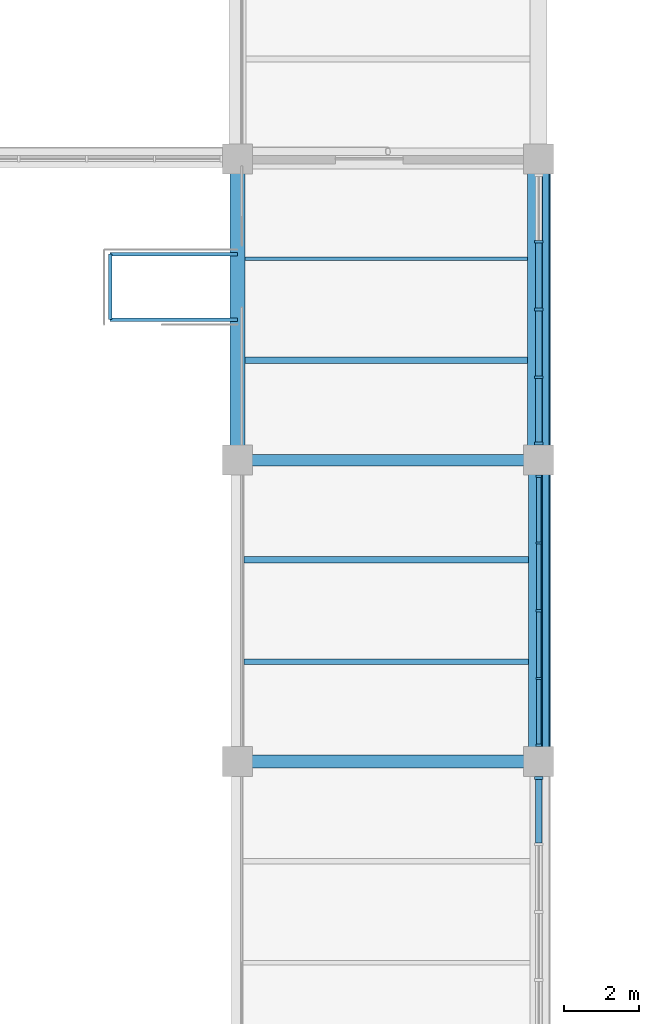
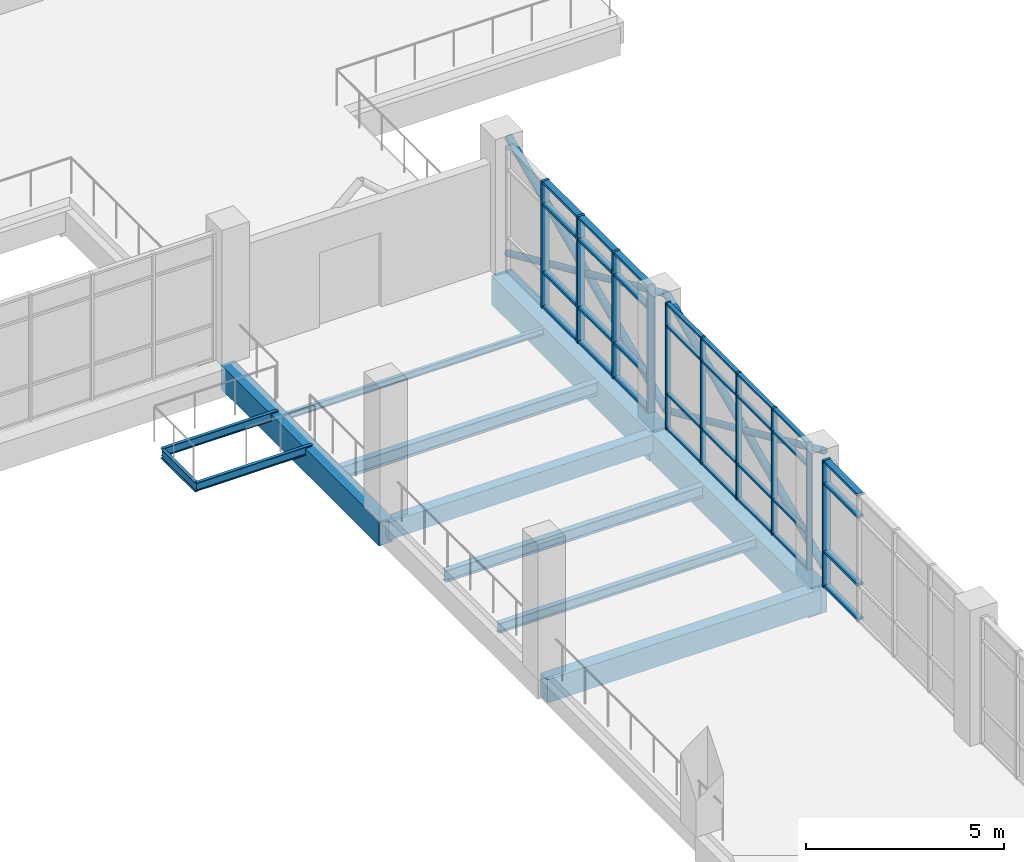
# One storey, part 45 of 84: 46 members, 12 beams, 3 elements without a shape of their own.
"""IFC4 building model written with IfcOpenShell, lengths in metres."""

from ifc_helpers import new_model, si_unit, direction, frame, origin, origin_2d, place, context, subcontext, project, spatial, rectangle, hollow_circle, i_section, extrude, material, material_profile, profile_set, type_object, element, aggregate, save


model = new_model("IFC4")

# Units and contexts
model_context = context("Model", 3, precision=1e-05, world=origin(), true_north=direction((0.0, 1.0)))
body_context = subcontext(model_context, "Body", "Model", "MODEL_VIEW")
ifc_project = project(units=[si_unit("LENGTHUNIT", "METRE"), si_unit("AREAUNIT", "SQUARE_METRE"), si_unit("VOLUMEUNIT", "CUBIC_METRE"), si_unit("PLANEANGLEUNIT", "RADIAN"), si_unit("MASSUNIT", "GRAM", prefix="KILO")], contexts=[model_context])

# Site, building, storey
site_placement = place(None, origin())
site = spatial("IfcSite", under=ifc_project, at=site_placement, CompositionType="ELEMENT")
building_placement = place(site_placement, origin())
building = spatial("IfcBuilding", under=site, at=building_placement, Name="Tenunan Teduh Sports Hall", CompositionType="ELEMENT")
storey_placement = place(building_placement, frame((0.0, 0.0, 10.800048828125)))
storey = spatial("IfcBuildingStorey", under=building, at=storey_placement, Name="L02", CompositionType="ELEMENT", Elevation=10.800048828125)

# Beams
ifc_material_1 = material(Name="Concrete C40/50", Category="concrete")
ifc_material_profile_1 = material_profile(ifc_material_1, rectangle(XDim=0.300048828125, YDim=0.550048828125, at=origin_2d()), Name="RCB 300x550")
ifc_profile_set_1 = profile_set([ifc_material_profile_1], Name="Concrete C40/50")
beam_type_1 = type_object("IfcBeamType", Name="BM-RC-300x550", PredefinedType="BEAM", material=ifc_profile_set_1)
beam_1_placement = place(storey_placement, frame((146.0, 70.0, -0.53515625), z_axis=(1.0, 0.0, 0.0), x_axis=(0.0, 1.0, 0.0)))
element("IfcBeam", 1, at=beam_1_placement, inside=storey, type_object=beam_type_1, Name="BM-B-02-L02-1481", PredefinedType="BEAM", context=body_context, shape_type="SweptSolid", body=[
    extrude(rectangle(XDim=0.300048828125, YDim=0.550048828125, at=origin_2d()), origin(), (0.0, 0.0, 1.0), 8.0),
])
ifc_material_2 = material(Name="Concrete C40/50", Category="concrete")
ifc_material_profile_2 = material_profile(ifc_material_2, rectangle(XDim=0.39990234375, YDim=0.75, at=origin_2d()), Name="RCB 400x750")
ifc_profile_set_2 = profile_set([ifc_material_profile_2], Name="Concrete C40/50")
beam_type_2 = type_object("IfcBeamType", Name="BM-RC-400x750", PredefinedType="BEAM", material=ifc_profile_set_2)
beam_2_placement = place(storey_placement, frame((146.0, 70.0, -0.635009765625), z_axis=(0.0, 1.0, 0.0), x_axis=(-1.0, 0.0, 0.0)))
element("IfcBeam", 2, at=beam_2_placement, inside=storey, type_object=beam_type_2, Name="BM-B-09-L02-1656", PredefinedType="BEAM", context=body_context, shape_type="SweptSolid", body=[
    extrude(rectangle(XDim=0.39990234375, YDim=0.75, at=origin_2d()), origin(), (0.0, 0.0, 1.0), 8.0),
])
ifc_material_3 = material(Name="Concrete C40/50", Category="concrete")
ifc_material_profile_3 = material_profile(ifc_material_3, rectangle(XDim=0.550048828125, YDim=0.89990234375, at=origin_2d()), Name="RCB 550x900")
ifc_profile_set_3 = profile_set([ifc_material_profile_3], Name="Concrete C40/50")
beam_type_3 = type_object("IfcBeamType", Name="BM-RC-550x900", PredefinedType="BEAM", material=ifc_profile_set_3)
beam_3_placement = place(storey_placement, frame((154.0, 62.0, -0.7099609375), z_axis=(0.0, 1.0, 0.0), x_axis=(-1.0, 0.0, 0.0)))
element("IfcBeam", 3, at=beam_3_placement, inside=storey, type_object=beam_type_3, Name="BM-B-16-L02-1663", PredefinedType="BEAM", context=body_context, shape_type="SweptSolid", body=[
    extrude(rectangle(XDim=0.550048828125, YDim=0.89990234375, at=origin_2d()), origin(), (0.0, 0.0, 1.0), 8.0),
])
ifc_material_4 = material(Name="Concrete C40/50", Category="concrete")
ifc_material_profile_4 = material_profile(ifc_material_4, rectangle(XDim=0.60009765625, YDim=0.89990234375, at=origin_2d()), Name="RCB 600x900")
ifc_profile_set_4 = profile_set([ifc_material_profile_4], Name="Concrete C40/50")
beam_type_4 = type_object("IfcBeamType", Name="BM-RC-600x900", PredefinedType="BEAM", material=ifc_profile_set_4)
beam_4_placement = place(storey_placement, frame((154.0, 70.0, -0.7099609375), z_axis=(0.0, 1.0, 0.0), x_axis=(-1.0, 0.0, 0.0)))
element("IfcBeam", 4, at=beam_4_placement, inside=storey, type_object=beam_type_4, Name="BM-B-17-L02-1664", PredefinedType="BEAM", context=body_context, shape_type="SweptSolid", body=[
    extrude(rectangle(XDim=0.60009765625, YDim=0.89990234375, at=origin_2d()), origin(), (0.0, 0.0, 1.0), 8.0),
])
ifc_material_5 = material(Name="Concrete C40/50", Category="concrete")
ifc_material_profile_5 = material_profile(ifc_material_5, rectangle(XDim=0.35009765625, YDim=0.719970703125, at=origin_2d()), Name="TB 350x720")
ifc_profile_set_5 = profile_set([ifc_material_profile_5], Name="Concrete C40/50")
beam_type_5 = type_object("IfcBeamType", Name="BM-TB-350x720", PredefinedType="T_BEAM", material=ifc_profile_set_5)
beam_5_placement = place(storey_placement, frame((146.0, 62.0, -0.6201171875), z_axis=(1.0, 0.0, 0.0), x_axis=(0.0, 1.0, 0.0)))
element("IfcBeam", 5, at=beam_5_placement, inside=storey, type_object=beam_type_5, Name="BM-TB-01-L02-1479", PredefinedType="T_BEAM", context=body_context, shape_type="SweptSolid", body=[
    extrude(rectangle(XDim=0.35009765625, YDim=0.719970703125, at=origin_2d()), origin(), (0.0, 0.0, 1.0), 8.0),
])

# Curtain wall, members
ifc_material_6 = material(Name="Anodised aluminium", Category="aluminium")
curtain_wall_type = type_object("IfcCurtainWallType", Name="CW-UNIT-2", PredefinedType="NOTDEFINED", material=ifc_material_6)
curtain_wall_1_placement = place(storey_placement, origin())
curtain_wall_1 = element("IfcCurtainWall", 6, at=curtain_wall_1_placement, inside=storey, type_object=curtain_wall_type, Name="CW-CWM-150-L02-135", PredefinedType="NOTDEFINED")
ifc_material_7 = material(Name="Anodised aluminium", Category="aluminium")
ifc_material_profile_6 = material_profile(ifc_material_7, rectangle(XDim=0.06005859375, YDim=0.14990234375, at=origin_2d()), Name="CWM 60x150")
ifc_profile_set_6 = profile_set([ifc_material_profile_6], Name="Anodised aluminium")
member_type_1 = type_object("IfcMemberType", Name="CWM-150", PredefinedType="MULLION", material=ifc_profile_set_6)
member_1_placement = place(storey_placement, frame((154.0, 62.429931640625, 0.0), z_axis=(0.0, 0.0, 1.0), x_axis=(0.0, 1.0, 0.0)))
member_1 = element("IfcMember", 7, at=member_1_placement, type_object=member_type_1, Name="CW-02 mullion 1", PredefinedType="MULLION", context=body_context, shape_type="SweptSolid", body=[
    extrude(rectangle(XDim=0.06005859375, YDim=0.14990234375, at=origin_2d()), origin(), (0.0, 0.0, 1.0), 3.919921875),
])
member_2_placement = place(storey_placement, frame((154.0, 64.199951171875, 0.0), z_axis=(0.0, 0.0, 1.0), x_axis=(0.0, 1.0, 0.0)))
member_2 = element("IfcMember", 8, at=member_2_placement, type_object=member_type_1, Name="CW-02 mullion 2", PredefinedType="MULLION", context=body_context, shape_type="SweptSolid", body=[
    extrude(rectangle(XDim=0.06005859375, YDim=0.14990234375, at=origin_2d()), origin(), (0.0, 0.0, 1.0), 3.919921875),
])
member_3_placement = place(storey_placement, frame((154.0, 66.0, 0.0), z_axis=(0.0, 0.0, 1.0), x_axis=(0.0, 1.0, 0.0)))
member_3 = element("IfcMember", 9, at=member_3_placement, type_object=member_type_1, Name="CW-02 mullion 3", PredefinedType="MULLION", context=body_context, shape_type="SweptSolid", body=[
    extrude(rectangle(XDim=0.06005859375, YDim=0.14990234375, at=origin_2d()), origin(), (0.0, 0.0, 1.0), 3.919921875),
])
member_4_placement = place(storey_placement, frame((154.0, 67.800048828125, 0.0), z_axis=(0.0, 0.0, 1.0), x_axis=(0.0, 1.0, 0.0)))
member_4 = element("IfcMember", 10, at=member_4_placement, type_object=member_type_1, Name="CW-02 mullion 4", PredefinedType="MULLION", context=body_context, shape_type="SweptSolid", body=[
    extrude(rectangle(XDim=0.06005859375, YDim=0.14990234375, at=origin_2d()), origin(), (0.0, 0.0, 1.0), 3.919921875),
])
member_5_placement = place(storey_placement, frame((154.0, 69.570068359375, 0.0), z_axis=(0.0, 0.0, 1.0), x_axis=(0.0, 1.0, 0.0)))
member_5 = element("IfcMember", 11, at=member_5_placement, type_object=member_type_1, Name="CW-02 mullion 5", PredefinedType="MULLION", context=body_context, shape_type="SweptSolid", body=[
    extrude(rectangle(XDim=0.06005859375, YDim=0.14990234375, at=origin_2d()), origin(), (0.0, 0.0, 1.0), 3.919921875),
])

# Curtain wall, member
curtain_wall_2_placement = place(storey_placement, origin())
curtain_wall_2 = element("IfcCurtainWall", 12, at=curtain_wall_2_placement, inside=storey, type_object=curtain_wall_type, Name="CW-CWM-220-L02-133", PredefinedType="NOTDEFINED")
ifc_material_8 = material(Name="Anodised aluminium", Category="aluminium")
ifc_material_profile_7 = material_profile(ifc_material_8, rectangle(XDim=0.074951171875, YDim=0.219970703125, at=origin_2d()), Name="CWM 75x220")
ifc_profile_set_7 = profile_set([ifc_material_profile_7], Name="Anodised aluminium")
member_type_2 = type_object("IfcMemberType", Name="CWM-220", PredefinedType="MULLION", material=ifc_profile_set_7)
member_6_placement = place(storey_placement, frame((154.0, 61.5625, 0.0), z_axis=(0.0, 0.0, 1.0), x_axis=(0.0, 1.0, 0.0)))
member_6 = element("IfcMember", 13, at=member_6_placement, type_object=member_type_2, Name="CW-02 mullion 5", PredefinedType="MULLION", context=body_context, shape_type="SweptSolid", body=[
    extrude(rectangle(XDim=0.074951171875, YDim=0.219970703125, at=origin_2d()), origin(), (0.0, 0.0, 1.0), 3.919921875),
])

# Curtain wall, members
curtain_wall_3_placement = place(storey_placement, origin())
curtain_wall_3 = element("IfcCurtainWall", 14, at=curtain_wall_3_placement, inside=storey, type_object=curtain_wall_type, Name="CW-CWM-220-L02-137", PredefinedType="NOTDEFINED")
member_7_placement = place(storey_placement, frame((154.0, 70.4375, 0.0), z_axis=(0.0, 0.0, 1.0), x_axis=(0.0, 1.0, 0.0)))
member_7 = element("IfcMember", 15, at=member_7_placement, type_object=member_type_2, Name="CW-02 mullion 1", PredefinedType="MULLION", context=body_context, shape_type="SweptSolid", body=[
    extrude(rectangle(XDim=0.074951171875, YDim=0.219970703125, at=origin_2d()), origin(), (0.0, 0.0, 1.0), 3.919921875),
])
member_8_placement = place(storey_placement, frame((154.0, 72.199951171875, 0.0), z_axis=(0.0, 0.0, 1.0), x_axis=(0.0, 1.0, 0.0)))
member_8 = element("IfcMember", 16, at=member_8_placement, type_object=member_type_2, Name="CW-02 mullion 2", PredefinedType="MULLION", context=body_context, shape_type="SweptSolid", body=[
    extrude(rectangle(XDim=0.074951171875, YDim=0.219970703125, at=origin_2d()), origin(), (0.0, 0.0, 1.0), 3.919921875),
])
member_9_placement = place(storey_placement, frame((154.0, 74.0, 0.0), z_axis=(0.0, 0.0, 1.0), x_axis=(0.0, 1.0, 0.0)))
member_9 = element("IfcMember", 17, at=member_9_placement, type_object=member_type_2, Name="CW-02 mullion 3", PredefinedType="MULLION", context=body_context, shape_type="SweptSolid", body=[
    extrude(rectangle(XDim=0.074951171875, YDim=0.219970703125, at=origin_2d()), origin(), (0.0, 0.0, 1.0), 3.919921875),
])
member_10_placement = place(storey_placement, frame((154.0, 75.800048828125, 0.0), z_axis=(0.0, 0.0, 1.0), x_axis=(0.0, 1.0, 0.0)))
member_10 = element("IfcMember", 18, at=member_10_placement, type_object=member_type_2, Name="CW-02 mullion 4", PredefinedType="MULLION", context=body_context, shape_type="SweptSolid", body=[
    extrude(rectangle(XDim=0.074951171875, YDim=0.219970703125, at=origin_2d()), origin(), (0.0, 0.0, 1.0), 3.919921875),
])

# Member
ifc_material_9 = material(Name="Anodised aluminium", Category="aluminium")
ifc_material_profile_8 = material_profile(ifc_material_9, rectangle(XDim=0.06005859375, YDim=0.1201171875, at=origin_2d()), Name="CWT 60x120")
ifc_profile_set_8 = profile_set([ifc_material_profile_8], Name="Anodised aluminium")
member_type_3 = type_object("IfcMemberType", Name="CWT-125", PredefinedType="USERDEFINED", material=ifc_profile_set_8)
member_11_placement = place(storey_placement, frame((154.0, 62.4599609375, 0.030029296875), z_axis=(0.0, 1.0, 0.0), x_axis=(0.0, 0.0, 1.0)))
member_11 = element("IfcMember", 19, at=member_11_placement, type_object=member_type_3, Name="CW-02 transom 1.1", ObjectType="TRANSOM", PredefinedType="USERDEFINED", context=body_context, shape_type="SweptSolid", body=[
    extrude(rectangle(XDim=0.06005859375, YDim=0.1201171875, at=origin_2d()), origin(), (0.0, 0.0, 1.0), 1.7099609375),
])

member_12_placement = place(storey_placement, frame((154.0, 62.4599609375, 1.099853515625), z_axis=(0.0, 1.0, 0.0), x_axis=(0.0, 0.0, 1.0)))
member_12 = element("IfcMember", 20, at=member_12_placement, type_object=member_type_3, Name="CW-02 transom 1.2", ObjectType="TRANSOM", PredefinedType="USERDEFINED", context=body_context, shape_type="SweptSolid", body=[
    extrude(rectangle(XDim=0.06005859375, YDim=0.1201171875, at=origin_2d()), origin(), (0.0, 0.0, 1.0), 1.7099609375),
])

member_13_placement = place(storey_placement, frame((154.0, 62.4599609375, 3.199951171875), z_axis=(0.0, 1.0, 0.0), x_axis=(0.0, 0.0, 1.0)))
member_13 = element("IfcMember", 21, at=member_13_placement, type_object=member_type_3, Name="CW-02 transom 1.3", ObjectType="TRANSOM", PredefinedType="USERDEFINED", context=body_context, shape_type="SweptSolid", body=[
    extrude(rectangle(XDim=0.06005859375, YDim=0.1201171875, at=origin_2d()), origin(), (0.0, 0.0, 1.0), 1.7099609375),
])

member_14_placement = place(storey_placement, frame((154.0, 62.4599609375, 3.889892578125), z_axis=(0.0, 1.0, 0.0), x_axis=(0.0, 0.0, 1.0)))
member_14 = element("IfcMember", 22, at=member_14_placement, type_object=member_type_3, Name="CW-02 transom 1.4", ObjectType="TRANSOM", PredefinedType="USERDEFINED", context=body_context, shape_type="SweptSolid", body=[
    extrude(rectangle(XDim=0.06005859375, YDim=0.1201171875, at=origin_2d()), origin(), (0.0, 0.0, 1.0), 1.7099609375),
])

member_15_placement = place(storey_placement, frame((154.0, 64.22998046875, 0.030029296875), z_axis=(0.0, 1.0, 0.0), x_axis=(0.0, 0.0, 1.0)))
member_15 = element("IfcMember", 23, at=member_15_placement, type_object=member_type_3, Name="CW-02 transom 2.1", ObjectType="TRANSOM", PredefinedType="USERDEFINED", context=body_context, shape_type="SweptSolid", body=[
    extrude(rectangle(XDim=0.06005859375, YDim=0.1201171875, at=origin_2d()), origin(), (0.0, 0.0, 1.0), 1.739990234375),
])

member_16_placement = place(storey_placement, frame((154.0, 64.22998046875, 1.099853515625), z_axis=(0.0, 1.0, 0.0), x_axis=(0.0, 0.0, 1.0)))
member_16 = element("IfcMember", 24, at=member_16_placement, type_object=member_type_3, Name="CW-02 transom 2.2", ObjectType="TRANSOM", PredefinedType="USERDEFINED", context=body_context, shape_type="SweptSolid", body=[
    extrude(rectangle(XDim=0.06005859375, YDim=0.1201171875, at=origin_2d()), origin(), (0.0, 0.0, 1.0), 1.739990234375),
])

member_17_placement = place(storey_placement, frame((154.0, 64.22998046875, 3.199951171875), z_axis=(0.0, 1.0, 0.0), x_axis=(0.0, 0.0, 1.0)))
member_17 = element("IfcMember", 25, at=member_17_placement, type_object=member_type_3, Name="CW-02 transom 2.3", ObjectType="TRANSOM", PredefinedType="USERDEFINED", context=body_context, shape_type="SweptSolid", body=[
    extrude(rectangle(XDim=0.06005859375, YDim=0.1201171875, at=origin_2d()), origin(), (0.0, 0.0, 1.0), 1.739990234375),
])

member_18_placement = place(storey_placement, frame((154.0, 64.22998046875, 3.889892578125), z_axis=(0.0, 1.0, 0.0), x_axis=(0.0, 0.0, 1.0)))
member_18 = element("IfcMember", 26, at=member_18_placement, type_object=member_type_3, Name="CW-02 transom 2.4", ObjectType="TRANSOM", PredefinedType="USERDEFINED", context=body_context, shape_type="SweptSolid", body=[
    extrude(rectangle(XDim=0.06005859375, YDim=0.1201171875, at=origin_2d()), origin(), (0.0, 0.0, 1.0), 1.739990234375),
])

member_19_placement = place(storey_placement, frame((154.0, 66.030029296875, 0.030029296875), z_axis=(0.0, 1.0, 0.0), x_axis=(0.0, 0.0, 1.0)))
member_19 = element("IfcMember", 27, at=member_19_placement, type_object=member_type_3, Name="CW-02 transom 3.1", ObjectType="TRANSOM", PredefinedType="USERDEFINED", context=body_context, shape_type="SweptSolid", body=[
    extrude(rectangle(XDim=0.06005859375, YDim=0.1201171875, at=origin_2d()), origin(), (0.0, 0.0, 1.0), 1.739990234375),
])

member_20_placement = place(storey_placement, frame((154.0, 66.030029296875, 1.099853515625), z_axis=(0.0, 1.0, 0.0), x_axis=(0.0, 0.0, 1.0)))
member_20 = element("IfcMember", 28, at=member_20_placement, type_object=member_type_3, Name="CW-02 transom 3.2", ObjectType="TRANSOM", PredefinedType="USERDEFINED", context=body_context, shape_type="SweptSolid", body=[
    extrude(rectangle(XDim=0.06005859375, YDim=0.1201171875, at=origin_2d()), origin(), (0.0, 0.0, 1.0), 1.739990234375),
])

member_21_placement = place(storey_placement, frame((154.0, 66.030029296875, 3.199951171875), z_axis=(0.0, 1.0, 0.0), x_axis=(0.0, 0.0, 1.0)))
member_21 = element("IfcMember", 29, at=member_21_placement, type_object=member_type_3, Name="CW-02 transom 3.3", ObjectType="TRANSOM", PredefinedType="USERDEFINED", context=body_context, shape_type="SweptSolid", body=[
    extrude(rectangle(XDim=0.06005859375, YDim=0.1201171875, at=origin_2d()), origin(), (0.0, 0.0, 1.0), 1.739990234375),
])

member_22_placement = place(storey_placement, frame((154.0, 66.030029296875, 3.889892578125), z_axis=(0.0, 1.0, 0.0), x_axis=(0.0, 0.0, 1.0)))
member_22 = element("IfcMember", 30, at=member_22_placement, type_object=member_type_3, Name="CW-02 transom 3.4", ObjectType="TRANSOM", PredefinedType="USERDEFINED", context=body_context, shape_type="SweptSolid", body=[
    extrude(rectangle(XDim=0.06005859375, YDim=0.1201171875, at=origin_2d()), origin(), (0.0, 0.0, 1.0), 1.739990234375),
])

member_23_placement = place(storey_placement, frame((154.0, 67.830078125, 0.030029296875), z_axis=(0.0, 1.0, 0.0), x_axis=(0.0, 0.0, 1.0)))
member_23 = element("IfcMember", 31, at=member_23_placement, type_object=member_type_3, Name="CW-02 transom 4.1", ObjectType="TRANSOM", PredefinedType="USERDEFINED", context=body_context, shape_type="SweptSolid", body=[
    extrude(rectangle(XDim=0.06005859375, YDim=0.1201171875, at=origin_2d()), origin(), (0.0, 0.0, 1.0), 1.7099609375),
])

member_24_placement = place(storey_placement, frame((154.0, 67.830078125, 1.099853515625), z_axis=(0.0, 1.0, 0.0), x_axis=(0.0, 0.0, 1.0)))
member_24 = element("IfcMember", 32, at=member_24_placement, type_object=member_type_3, Name="CW-02 transom 4.2", ObjectType="TRANSOM", PredefinedType="USERDEFINED", context=body_context, shape_type="SweptSolid", body=[
    extrude(rectangle(XDim=0.06005859375, YDim=0.1201171875, at=origin_2d()), origin(), (0.0, 0.0, 1.0), 1.7099609375),
])

member_25_placement = place(storey_placement, frame((154.0, 67.830078125, 3.199951171875), z_axis=(0.0, 1.0, 0.0), x_axis=(0.0, 0.0, 1.0)))
member_25 = element("IfcMember", 33, at=member_25_placement, type_object=member_type_3, Name="CW-02 transom 4.3", ObjectType="TRANSOM", PredefinedType="USERDEFINED", context=body_context, shape_type="SweptSolid", body=[
    extrude(rectangle(XDim=0.06005859375, YDim=0.1201171875, at=origin_2d()), origin(), (0.0, 0.0, 1.0), 1.7099609375),
])

member_26_placement = place(storey_placement, frame((154.0, 67.830078125, 3.889892578125), z_axis=(0.0, 1.0, 0.0), x_axis=(0.0, 0.0, 1.0)))
member_26 = element("IfcMember", 34, at=member_26_placement, type_object=member_type_3, Name="CW-02 transom 4.4", ObjectType="TRANSOM", PredefinedType="USERDEFINED", context=body_context, shape_type="SweptSolid", body=[
    extrude(rectangle(XDim=0.06005859375, YDim=0.1201171875, at=origin_2d()), origin(), (0.0, 0.0, 1.0), 1.7099609375),
])

aggregate(curtain_wall_1, [member_1, member_2, member_3, member_4, member_5, member_11, member_12, member_13, member_14, member_15, member_16, member_17, member_18, member_19, member_20, member_21, member_22, member_23, member_24, member_25, member_26])

ifc_material_10 = material(Name="Anodised aluminium", Category="aluminium")
ifc_material_profile_9 = material_profile(ifc_material_10, rectangle(XDim=0.074951171875, YDim=0.179931640625, at=origin_2d()), Name="CWT 75x180")
ifc_profile_set_9 = profile_set([ifc_material_profile_9], Name="Anodised aluminium")
member_type_4 = type_object("IfcMemberType", Name="CWT-180", PredefinedType="USERDEFINED", material=ifc_profile_set_9)
member_27_placement = place(storey_placement, frame((154.0, 59.83740234375, 0.037353515625), z_axis=(0.0, 1.0, 0.0), x_axis=(0.0, 0.0, 1.0)))
member_27 = element("IfcMember", 35, at=member_27_placement, type_object=member_type_4, Name="CW-02 transom 4.1", ObjectType="TRANSOM", PredefinedType="USERDEFINED", context=body_context, shape_type="SweptSolid", body=[
    extrude(rectangle(XDim=0.074951171875, YDim=0.179931640625, at=origin_2d()), origin(), (0.0, 0.0, 1.0), 1.6875),
])

member_28_placement = place(storey_placement, frame((154.0, 59.83740234375, 1.099853515625), z_axis=(0.0, 1.0, 0.0), x_axis=(0.0, 0.0, 1.0)))
member_28 = element("IfcMember", 36, at=member_28_placement, type_object=member_type_4, Name="CW-02 transom 4.2", ObjectType="TRANSOM", PredefinedType="USERDEFINED", context=body_context, shape_type="SweptSolid", body=[
    extrude(rectangle(XDim=0.074951171875, YDim=0.179931640625, at=origin_2d()), origin(), (0.0, 0.0, 1.0), 1.6875),
])

member_29_placement = place(storey_placement, frame((154.0, 59.83740234375, 3.199951171875), z_axis=(0.0, 1.0, 0.0), x_axis=(0.0, 0.0, 1.0)))
member_29 = element("IfcMember", 37, at=member_29_placement, type_object=member_type_4, Name="CW-02 transom 4.3", ObjectType="TRANSOM", PredefinedType="USERDEFINED", context=body_context, shape_type="SweptSolid", body=[
    extrude(rectangle(XDim=0.074951171875, YDim=0.179931640625, at=origin_2d()), origin(), (0.0, 0.0, 1.0), 1.6875),
])

member_30_placement = place(storey_placement, frame((154.0, 59.83740234375, 3.882568359375), z_axis=(0.0, 1.0, 0.0), x_axis=(0.0, 0.0, 1.0)))
member_30 = element("IfcMember", 38, at=member_30_placement, type_object=member_type_4, Name="CW-02 transom 4.4", ObjectType="TRANSOM", PredefinedType="USERDEFINED", context=body_context, shape_type="SweptSolid", body=[
    extrude(rectangle(XDim=0.074951171875, YDim=0.179931640625, at=origin_2d()), origin(), (0.0, 0.0, 1.0), 1.6875),
])

aggregate(curtain_wall_2, [member_6, member_27, member_28, member_29, member_30])

member_31_placement = place(storey_placement, frame((154.0, 70.47509765625, 0.037353515625), z_axis=(0.0, 1.0, 0.0), x_axis=(0.0, 0.0, 1.0)))
member_31 = element("IfcMember", 39, at=member_31_placement, type_object=member_type_4, Name="CW-02 transom 1.1", ObjectType="TRANSOM", PredefinedType="USERDEFINED", context=body_context, shape_type="SweptSolid", body=[
    extrude(rectangle(XDim=0.074951171875, YDim=0.179931640625, at=origin_2d()), origin(), (0.0, 0.0, 1.0), 1.6875),
])

member_32_placement = place(storey_placement, frame((154.0, 70.47509765625, 1.099853515625), z_axis=(0.0, 1.0, 0.0), x_axis=(0.0, 0.0, 1.0)))
member_32 = element("IfcMember", 40, at=member_32_placement, type_object=member_type_4, Name="CW-02 transom 1.2", ObjectType="TRANSOM", PredefinedType="USERDEFINED", context=body_context, shape_type="SweptSolid", body=[
    extrude(rectangle(XDim=0.074951171875, YDim=0.179931640625, at=origin_2d()), origin(), (0.0, 0.0, 1.0), 1.6875),
])

member_33_placement = place(storey_placement, frame((154.0, 70.47509765625, 3.199951171875), z_axis=(0.0, 1.0, 0.0), x_axis=(0.0, 0.0, 1.0)))
member_33 = element("IfcMember", 41, at=member_33_placement, type_object=member_type_4, Name="CW-02 transom 1.3", ObjectType="TRANSOM", PredefinedType="USERDEFINED", context=body_context, shape_type="SweptSolid", body=[
    extrude(rectangle(XDim=0.074951171875, YDim=0.179931640625, at=origin_2d()), origin(), (0.0, 0.0, 1.0), 1.6875),
])

member_34_placement = place(storey_placement, frame((154.0, 70.47509765625, 3.882568359375), z_axis=(0.0, 1.0, 0.0), x_axis=(0.0, 0.0, 1.0)))
member_34 = element("IfcMember", 42, at=member_34_placement, type_object=member_type_4, Name="CW-02 transom 1.4", ObjectType="TRANSOM", PredefinedType="USERDEFINED", context=body_context, shape_type="SweptSolid", body=[
    extrude(rectangle(XDim=0.074951171875, YDim=0.179931640625, at=origin_2d()), origin(), (0.0, 0.0, 1.0), 1.6875),
])

member_35_placement = place(storey_placement, frame((154.0, 72.237548828125, 0.037353515625), z_axis=(0.0, 1.0, 0.0), x_axis=(0.0, 0.0, 1.0)))
member_35 = element("IfcMember", 43, at=member_35_placement, type_object=member_type_4, Name="CW-02 transom 2.1", ObjectType="TRANSOM", PredefinedType="USERDEFINED", context=body_context, shape_type="SweptSolid", body=[
    extrude(rectangle(XDim=0.074951171875, YDim=0.179931640625, at=origin_2d()), origin(), (0.0, 0.0, 1.0), 1.724853515625),
])

member_36_placement = place(storey_placement, frame((154.0, 72.237548828125, 1.099853515625), z_axis=(0.0, 1.0, 0.0), x_axis=(0.0, 0.0, 1.0)))
member_36 = element("IfcMember", 44, at=member_36_placement, type_object=member_type_4, Name="CW-02 transom 2.2", ObjectType="TRANSOM", PredefinedType="USERDEFINED", context=body_context, shape_type="SweptSolid", body=[
    extrude(rectangle(XDim=0.074951171875, YDim=0.179931640625, at=origin_2d()), origin(), (0.0, 0.0, 1.0), 1.724853515625),
])

member_37_placement = place(storey_placement, frame((154.0, 72.237548828125, 3.199951171875), z_axis=(0.0, 1.0, 0.0), x_axis=(0.0, 0.0, 1.0)))
member_37 = element("IfcMember", 45, at=member_37_placement, type_object=member_type_4, Name="CW-02 transom 2.3", ObjectType="TRANSOM", PredefinedType="USERDEFINED", context=body_context, shape_type="SweptSolid", body=[
    extrude(rectangle(XDim=0.074951171875, YDim=0.179931640625, at=origin_2d()), origin(), (0.0, 0.0, 1.0), 1.724853515625),
])

member_38_placement = place(storey_placement, frame((154.0, 72.237548828125, 3.882568359375), z_axis=(0.0, 1.0, 0.0), x_axis=(0.0, 0.0, 1.0)))
member_38 = element("IfcMember", 46, at=member_38_placement, type_object=member_type_4, Name="CW-02 transom 2.4", ObjectType="TRANSOM", PredefinedType="USERDEFINED", context=body_context, shape_type="SweptSolid", body=[
    extrude(rectangle(XDim=0.074951171875, YDim=0.179931640625, at=origin_2d()), origin(), (0.0, 0.0, 1.0), 1.724853515625),
])

member_39_placement = place(storey_placement, frame((154.0, 74.03759765625, 0.037353515625), z_axis=(0.0, 1.0, 0.0), x_axis=(0.0, 0.0, 1.0)))
member_39 = element("IfcMember", 47, at=member_39_placement, type_object=member_type_4, Name="CW-02 transom 3.1", ObjectType="TRANSOM", PredefinedType="USERDEFINED", context=body_context, shape_type="SweptSolid", body=[
    extrude(rectangle(XDim=0.074951171875, YDim=0.179931640625, at=origin_2d()), origin(), (0.0, 0.0, 1.0), 1.724853515625),
])

member_40_placement = place(storey_placement, frame((154.0, 74.03759765625, 1.099853515625), z_axis=(0.0, 1.0, 0.0), x_axis=(0.0, 0.0, 1.0)))
member_40 = element("IfcMember", 48, at=member_40_placement, type_object=member_type_4, Name="CW-02 transom 3.2", ObjectType="TRANSOM", PredefinedType="USERDEFINED", context=body_context, shape_type="SweptSolid", body=[
    extrude(rectangle(XDim=0.074951171875, YDim=0.179931640625, at=origin_2d()), origin(), (0.0, 0.0, 1.0), 1.724853515625),
])

member_41_placement = place(storey_placement, frame((154.0, 74.03759765625, 3.199951171875), z_axis=(0.0, 1.0, 0.0), x_axis=(0.0, 0.0, 1.0)))
member_41 = element("IfcMember", 49, at=member_41_placement, type_object=member_type_4, Name="CW-02 transom 3.3", ObjectType="TRANSOM", PredefinedType="USERDEFINED", context=body_context, shape_type="SweptSolid", body=[
    extrude(rectangle(XDim=0.074951171875, YDim=0.179931640625, at=origin_2d()), origin(), (0.0, 0.0, 1.0), 1.724853515625),
])

member_42_placement = place(storey_placement, frame((154.0, 74.03759765625, 3.882568359375), z_axis=(0.0, 1.0, 0.0), x_axis=(0.0, 0.0, 1.0)))
member_42 = element("IfcMember", 50, at=member_42_placement, type_object=member_type_4, Name="CW-02 transom 3.4", ObjectType="TRANSOM", PredefinedType="USERDEFINED", context=body_context, shape_type="SweptSolid", body=[
    extrude(rectangle(XDim=0.074951171875, YDim=0.179931640625, at=origin_2d()), origin(), (0.0, 0.0, 1.0), 1.724853515625),
])

aggregate(curtain_wall_3, [member_7, member_8, member_9, member_10, member_31, member_32, member_33, member_34, member_35, member_36, member_37, member_38, member_39, member_40, member_41, member_42])

# Beams
ifc_material_11 = material(Name="Steel S355", Category="steel")
ifc_material_profile_10 = material_profile(ifc_material_11, i_section(OverallWidth=0.10009765625, OverallDepth=0.199951171875, WebThickness=0.005615234375, FlangeThickness=0.008544921875, FilletRadius=0.011962890625, at=origin_2d()), Name="IPE 200")
ifc_profile_set_10 = profile_set([ifc_material_profile_10], Name="Steel S355")
beam_type_6 = type_object("IfcBeamType", Name="JST-IPE200", PredefinedType="JOIST", material=ifc_profile_set_10)
beam_6_placement = place(storey_placement, frame((146.199951171875, 75.35009765625, -0.360107421875), z_axis=(1.0, 0.0, 0.0), x_axis=(0.0, 1.0, 0.0)))
element("IfcBeam", 51, at=beam_6_placement, inside=storey, type_object=beam_type_6, Name="BM-J-01-L02-1797", PredefinedType="JOIST", context=body_context, shape_type="SweptSolid", body=[
    extrude(i_section(OverallWidth=0.10009765625, OverallDepth=0.199951171875, WebThickness=0.005615234375, FlangeThickness=0.008544921875, FilletRadius=0.011962890625, at=origin_2d()), origin(), (0.0, 0.0, 1.0), 7.5),
])
ifc_material_12 = material(Name="Steel S355", Category="steel")
ifc_material_profile_11 = material_profile(ifc_material_12, i_section(OverallWidth=0.14990234375, OverallDepth=0.300048828125, WebThickness=0.007080078125, FlangeThickness=0.0107421875, FilletRadius=0.014892578125, at=origin_2d()), Name="IPE 300")
ifc_profile_set_11 = profile_set([ifc_material_profile_11], Name="Steel S355")
beam_type_7 = type_object("IfcBeamType", Name="JST-IPE300", PredefinedType="JOIST", material=ifc_profile_set_11)
beam_7_placement = place(storey_placement, frame((146.175048828125, 64.64990234375, -0.41015625), z_axis=(1.0, 0.0, 0.0), x_axis=(0.0, 1.0, 0.0)))
element("IfcBeam", 52, at=beam_7_placement, inside=storey, type_object=beam_type_7, Name="BM-J-04-L02-1794", PredefinedType="JOIST", context=body_context, shape_type="SweptSolid", body=[
    extrude(i_section(OverallWidth=0.14990234375, OverallDepth=0.300048828125, WebThickness=0.007080078125, FlangeThickness=0.0107421875, FilletRadius=0.014892578125, at=origin_2d()), origin(), (0.0, 0.0, 1.0), 7.550048828125),
])
ifc_material_13 = material(Name="Steel S355", Category="steel")
ifc_material_profile_12 = material_profile(ifc_material_13, i_section(OverallWidth=0.169921875, OverallDepth=0.360107421875, WebThickness=0.008056640625, FlangeThickness=0.0126953125, FilletRadius=0.01806640625, at=origin_2d()), Name="IPE 360")
ifc_profile_set_12 = profile_set([ifc_material_profile_12], Name="Steel S355")
beam_type_8 = type_object("IfcBeamType", Name="JST-IPE360", PredefinedType="JOIST", material=ifc_profile_set_12)
beam_8_placement = place(storey_placement, frame((146.175048828125, 67.35009765625, -0.43994140625), z_axis=(1.0, 0.0, 0.0), x_axis=(0.0, 1.0, 0.0)))
element("IfcBeam", 53, at=beam_8_placement, inside=storey, type_object=beam_type_8, Name="BM-J-05-L02-1795", PredefinedType="JOIST", context=body_context, shape_type="SweptSolid", body=[
    extrude(i_section(OverallWidth=0.169921875, OverallDepth=0.360107421875, WebThickness=0.008056640625, FlangeThickness=0.0126953125, FilletRadius=0.01806640625, at=origin_2d()), origin(), (0.0, 0.0, 1.0), 7.550048828125),
])
ifc_material_14 = material(Name="Steel S355", Category="steel")
ifc_material_profile_13 = material_profile(ifc_material_14, i_section(OverallWidth=0.179931640625, OverallDepth=0.39990234375, WebThickness=0.008544921875, FlangeThickness=0.013427734375, FilletRadius=0.02099609375, at=origin_2d()), Name="IPE 400")
ifc_profile_set_13 = profile_set([ifc_material_profile_13], Name="Steel S355")
beam_type_9 = type_object("IfcBeamType", Name="JST-IPE400", PredefinedType="JOIST", material=ifc_profile_set_13)
beam_9_placement = place(storey_placement, frame((146.199951171875, 72.64990234375, -0.4599609375), z_axis=(1.0, 0.0, 0.0), x_axis=(0.0, 1.0, 0.0)))
element("IfcBeam", 54, at=beam_9_placement, inside=storey, type_object=beam_type_9, Name="BM-J-06-L02-1796", PredefinedType="JOIST", context=body_context, shape_type="SweptSolid", body=[
    extrude(i_section(OverallWidth=0.179931640625, OverallDepth=0.39990234375, WebThickness=0.008544921875, FlangeThickness=0.013427734375, FilletRadius=0.02099609375, at=origin_2d()), origin(), (0.0, 0.0, 1.0), 7.5),
])

# Members
ifc_material_15 = material(Name="Steel S355", Category="steel")
ifc_material_profile_14 = material_profile(ifc_material_15, hollow_circle(Radius=0.096923828125, WallThickness=0.008056640625, at=origin_2d()), Name="CHS 193.7x8.0")
ifc_profile_set_14 = profile_set([ifc_material_profile_14], Name="Steel S355")
member_type_5 = type_object("IfcMemberType", Name="MEM-BR-CHS194", PredefinedType="BRACE", material=ifc_profile_set_14)
for number, where, z_axis, x_axis, name in (
    (55, (154.18994140625, 70.0, 0.25), (0.0, -0.911927753762, 0.410350791297), (1.0, 0.0, 0.0), "MEM-GD-03-L02-1089"),
    (56, (154.18994140625, 78.0, 0.25), (0.0, -0.911927753762, 0.410350791297), (1.0, 0.0, 0.0), "MEM-GD-03-L02-1091"),
):
    element("IfcMember", number, at=place(storey_placement, frame(where, z_axis=z_axis, x_axis=x_axis)), inside=storey, type_object=member_type_5, Name=name, PredefinedType="BRACE", context=body_context, shape_type="SweptSolid", body=[
        extrude(hollow_circle(Radius=0.096923828125, WallThickness=0.008056640625, at=origin_2d()), origin(), (0.0, 0.0, 1.0), 8.772705078125),
    ])
ifc_material_16 = material(Name="Steel S355", Category="steel")
ifc_material_profile_15 = material_profile(ifc_material_16, hollow_circle(Radius=0.109619140625, WallThickness=0.010009765625, at=origin_2d()), Name="CHS 219.1x10.0")
ifc_profile_set_15 = profile_set([ifc_material_profile_15], Name="Steel S355")
member_type_6 = type_object("IfcMemberType", Name="MEM-BR-CHS219", PredefinedType="BRACE", material=ifc_profile_set_15)
for number, where, z_axis, x_axis, name in (
    (57, (154.199951171875, 62.0, 0.25), (0.0, 0.911927753762, 0.410350791297), (-1.0, 0.0, 0.0), "MEM-GD-02-L02-1088"),
    (58, (154.199951171875, 70.0, 0.25), (0.0, 0.911927753762, 0.410350791297), (-1.0, 0.0, 0.0), "MEM-GD-02-L02-1090"),
):
    element("IfcMember", number, at=place(storey_placement, frame(where, z_axis=z_axis, x_axis=x_axis)), inside=storey, type_object=member_type_6, Name=name, PredefinedType="BRACE", context=body_context, shape_type="SweptSolid", body=[
        extrude(hollow_circle(Radius=0.109619140625, WallThickness=0.010009765625, at=origin_2d()), origin(), (0.0, 0.0, 1.0), 8.772705078125),
    ])

# Beams
ifc_material_17 = material(Name="Steel S355", Category="steel")
ifc_material_profile_16 = material_profile(ifc_material_17, i_section(OverallWidth=0.090087890625, OverallDepth=0.300048828125, WebThickness=0.008056640625, FlangeThickness=0.015380859375, FilletRadius=0.011962890625, at=origin_2d()), Name="PFC 300x90")
ifc_profile_set_16 = profile_set([ifc_material_profile_16], Name="Steel S355")
beam_type_10 = type_object("IfcBeamType", Name="STR-BM-STRINGER", PredefinedType="BEAM", material=ifc_profile_set_16)
beam_10_placement = place(storey_placement, frame((142.6201171875, 73.72998046875, -0.3349609375), z_axis=(0.0, 1.0, 0.0), x_axis=(-1.0, 0.0, 0.0)))
element("IfcBeam", 59, at=beam_10_placement, inside=storey, type_object=beam_type_10, Name="BM-SS-01-FST-8-OUT", PredefinedType="BEAM", context=body_context, shape_type="SweptSolid", body=[
    extrude(i_section(OverallWidth=0.090087890625, OverallDepth=0.300048828125, WebThickness=0.008056640625, FlangeThickness=0.015380859375, FilletRadius=0.011962890625, at=origin_2d()), origin(), (0.0, 0.0, 1.0), 1.739990234375),
])
ifc_material_18 = material(Name="Steel S355", Category="steel")
ifc_material_profile_17 = material_profile(ifc_material_18, i_section(OverallWidth=0.090087890625, OverallDepth=0.260009765625, WebThickness=0.008056640625, FlangeThickness=0.013916015625, FilletRadius=0.011962890625, at=origin_2d()), Name="PFC 260x90")
ifc_profile_set_17 = profile_set([ifc_material_profile_17], Name="Steel S355")
beam_type_11 = type_object("IfcBeamType", Name="STR-BM-TRIM", PredefinedType="BEAM", material=ifc_profile_set_17)
for number, where, z_axis, x_axis, name in (
    (60, (142.6201171875, 73.72998046875, -0.31201171875), (1.0, 0.0, 0.0), (0.0, 1.0, 0.0), "BM-SS-02-FST-8-S1"),
    (61, (142.6201171875, 75.469970703125, -0.31201171875), (1.0, 0.0, 0.0), (0.0, 1.0, 0.0), "BM-SS-02-FST-8-S2"),
):
    element("IfcBeam", number, at=place(storey_placement, frame(where, z_axis=z_axis, x_axis=x_axis)), inside=storey, type_object=beam_type_11, Name=name, PredefinedType="BEAM", context=body_context, shape_type="SweptSolid", body=[
        extrude(i_section(OverallWidth=0.090087890625, OverallDepth=0.260009765625, WebThickness=0.008056640625, FlangeThickness=0.013916015625, FilletRadius=0.011962890625, at=origin_2d()), origin(), (0.0, 0.0, 1.0), 3.3798828125),
    ])

save(model, "model.ifc")
